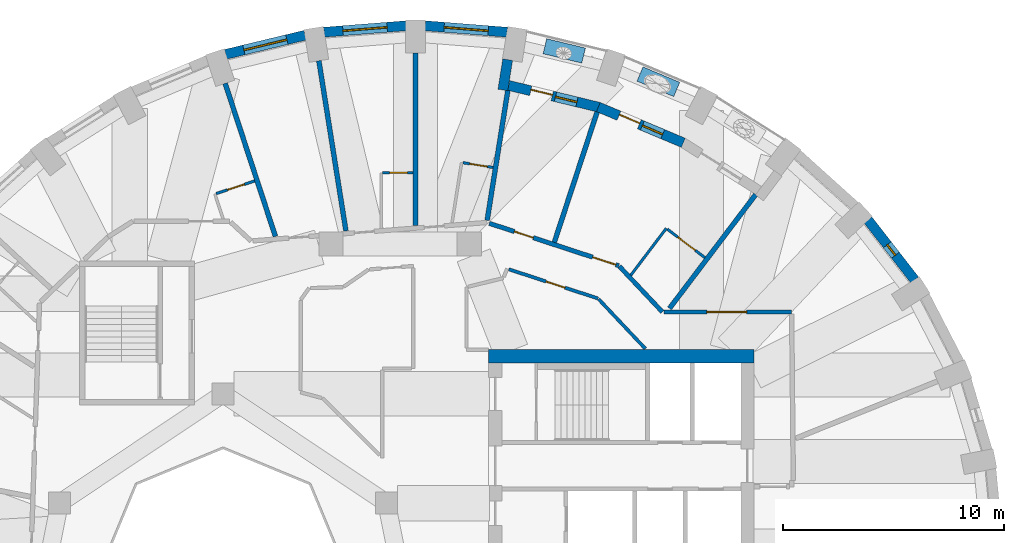
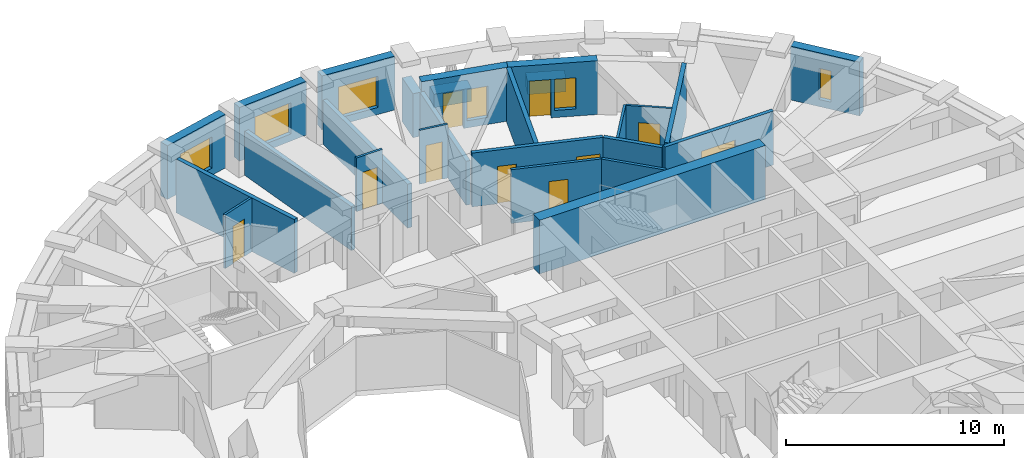
# One storey, part 8 of 12: 26 walls, 10 doors, 6 windows, 16 openings.
"""IFC4 building model written with IfcOpenShell, lengths in metres."""

import ifcopenshell
import ifcopenshell.guid

model = None  # the IFC model being written
_history = None  # IfcOwnerHistory: only IFC2X3 demands one
_inside = {}  # id of a spatial element -> (the spatial element, [elements in it])
_under = {}  # id of a project, library or spatial element -> (it, [spatial elements below it])
_declared = {}  # id of a project -> (the project, [libraries it declares])
_typed = {}  # id of a type object -> (the type object, [elements of that type])
_made_of = {}  # id of a material, layer set ... -> (it, [elements and type objects made of it])


def new_model(schema):
    """Start an empty IFC model of exactly this schema.

    Asked for "IFC4X3", IfcOpenShell would pick the latest addendum, in which some entities
    have other attributes; the version numbers below select the first issue.
    IFC2X3 requires an IfcOwnerHistory on every rooted entity: one is made here for all.
    """
    global model, _history
    if schema == "IFC4X3":
        model = ifcopenshell.file(schema_version=(4, 3, 0, 0))
    else:
        model = ifcopenshell.file(schema=schema)
    _inside.clear()
    _under.clear()
    _declared.clear()
    _typed.clear()
    _made_of.clear()
    _history = None
    if model.schema == "IFC2X3":
        org = make("IfcOrganization", Name="unknown")
        user = make(
            "IfcPersonAndOrganization",
            ThePerson=make("IfcPerson", FamilyName="unknown"),
            TheOrganization=org,
        )
        app = make(
            "IfcApplication",
            ApplicationDeveloper=org,
            Version="unknown",
            ApplicationFullName="unknown",
            ApplicationIdentifier="unknown",
        )
        _history = make(
            "IfcOwnerHistory",
            OwningUser=user,
            OwningApplication=app,
            ChangeAction="ADDED",
            CreationDate=0,
        )
    return model


def make(cls, **values):
    """One entity of the class cls with the attributes given. An attribute that is None is left unset."""
    return model.create_entity(
        cls, **{name: value for name, value in values.items() if value is not None}
    )


def rooted(cls, **values):
    """An entity with a GlobalId (a new one), such as an element, a storey or a relation."""
    return make(cls, GlobalId=ifcopenshell.guid.new(), OwnerHistory=_history, **values)


def si_unit(unit_type, name, prefix=None):
    """IfcSIUnit, for example si_unit("LENGTHUNIT", "METRE", prefix="MILLI")."""
    return make("IfcSIUnit", UnitType=unit_type, Prefix=prefix, Name=name)


def assignment(units):
    """IfcUnitAssignment: the units of a project."""
    return None if units is None else make("IfcUnitAssignment", Units=units)


def point(xyz):
    """IfcCartesianPoint."""
    return None if xyz is None else make("IfcCartesianPoint", Coordinates=xyz)


def direction(xyz):
    """IfcDirection."""
    return None if xyz is None else make("IfcDirection", DirectionRatios=xyz)


def frame(location, z_axis=None, x_axis=None):
    """IfcAxis2Placement3D, a coordinate frame: its origin and axes. An axis left out is left unset."""
    return make(
        "IfcAxis2Placement3D",
        Location=point(location),
        Axis=direction(z_axis),
        RefDirection=direction(x_axis),
    )


def frame_2d(location, x_axis=None):
    """IfcAxis2Placement2D, a coordinate frame in the plane: its origin and x axis."""
    return make(
        "IfcAxis2Placement2D", Location=point(location), RefDirection=direction(x_axis)
    )


def origin():
    """The frame at (0, 0, 0) with its axes left unset."""
    return frame((0.0, 0.0, 0.0))


def place(relative_to, where):
    """IfcLocalPlacement: puts the frame where relative to a parent placement (None: the world)."""
    return make(
        "IfcLocalPlacement", PlacementRelTo=relative_to, RelativePlacement=where
    )


def context(
    kind, dimensions, precision=None, world=None, true_north=None, identifier=None
):
    """IfcGeometricRepresentationContext, for example the 3D "Model" context."""
    return make(
        "IfcGeometricRepresentationContext",
        ContextIdentifier=identifier,
        ContextType=kind,
        CoordinateSpaceDimension=dimensions,
        Precision=precision,
        WorldCoordinateSystem=world,
        TrueNorth=true_north,
    )


def subcontext(parent, identifier, kind, view, scale=None):
    """IfcGeometricRepresentationSubContext, for example "Body" below "Model"."""
    return make(
        "IfcGeometricRepresentationSubContext",
        ContextIdentifier=identifier,
        ContextType=kind,
        ParentContext=parent,
        TargetScale=scale,
        TargetView=view,
    )


def project(units=None, contexts=None):
    """IfcProject with its units and contexts."""
    return rooted(
        "IfcProject",
        Name="project",
        RepresentationContexts=contexts,
        UnitsInContext=assignment(units),
    )


def spatial(cls, under=None, at=None, **own):
    """A site, building, storey or space (cls), placed at a placement, below another one or the project."""
    s = rooted(cls, ObjectPlacement=at, **own)
    if under is not None:
        _under.setdefault(under.id(), (under, []))[1].append(s)
    return s


def profile(cls, at=None, kind="AREA", **sizes):
    """A parametric profile (cls). Its sizes go by their IFC names, for example OverallWidth=200.0."""
    return make(cls, ProfileType=kind, Position=at, **sizes)


def rectangle(**sizes):
    """IfcRectangleProfileDef."""
    return profile("IfcRectangleProfileDef", **sizes)


def extrude(swept, where, along, depth):
    """IfcExtrudedAreaSolid: the profile swept, set in the frame where, extruded along a direction by depth."""
    return make(
        "IfcExtrudedAreaSolid",
        SweptArea=swept,
        Position=where,
        ExtrudedDirection=direction(along),
        Depth=depth,
    )


def shape(context_of_items, identifier, shape_type, items):
    """IfcShapeRepresentation: the items that make up one representation, for example the "Body"."""
    return make(
        "IfcShapeRepresentation",
        ContextOfItems=context_of_items,
        RepresentationIdentifier=identifier,
        RepresentationType=shape_type,
        Items=items,
    )


def material(Name=None, Category=None):
    """IfcMaterial."""
    return make("IfcMaterial", Name=Name, Category=Category)


def layer(
    of_material, thickness, ventilated=None, Name=None, Category=None, Priority=None
):
    """IfcMaterialLayer: one layer of a wall or slab, of a material (None: an air gap)."""
    return make(
        "IfcMaterialLayer",
        Material=of_material,
        LayerThickness=thickness,
        IsVentilated=ventilated,
        Name=Name,
        Category=Category,
        Priority=Priority,
    )


def layer_set(layers, Name=None):
    """IfcMaterialLayerSet."""
    return make("IfcMaterialLayerSet", MaterialLayers=layers, LayerSetName=Name)


def constituent(of_material, Name=None, Category=None, fraction=None):
    """IfcMaterialConstituent: one of the materials an element consists of."""
    return make(
        "IfcMaterialConstituent",
        Name=Name,
        Material=of_material,
        Fraction=fraction,
        Category=Category,
    )


def constituent_set(constituents=None, Name=None):
    """IfcMaterialConstituentSet."""
    return make(
        "IfcMaterialConstituentSet", Name=Name, MaterialConstituents=constituents
    )


def made_of(thing, what):
    """Note that an element or type object is made of a material, layer set ...; save() writes the relation."""
    if what is not None:
        _made_of.setdefault(what.id(), (what, []))[1].append(thing)
    return thing


def type_object(cls, material=None, **own):
    """A type object (cls), such as IfcWallType, which elements share."""
    return made_of(rooted(cls, **own), material)


def element(
    cls,
    number,
    at=None,
    inside=None,
    cuts=None,
    type_object=None,
    material=None,
    context=None,
    identifier="Body",
    shape_type=None,
    held_by="IfcProductDefinitionShape",
    body=None,
    shapes=None,
    **own,
):
    """One element of the class cls, such as IfcWall. Its Tag is "e" and its number.

    at: its placement. inside: the storey or other place that contains it. cuts: it is an
    opening in that element (IfcRelVoidsElement). A single representation is given by context,
    identifier, shape_type and body (its items); several are given by shapes. held_by: the class
    of the entity that holds the representations. save() writes the other relations.
    """
    e = rooted(cls, Tag="e%d" % number, ObjectPlacement=at, **own)
    if body is not None:
        shapes = [shape(context, identifier, shape_type, body)]
    if shapes is not None:
        e.Representation = make(held_by, Representations=shapes)
    if inside is not None:
        _inside.setdefault(inside.id(), (inside, []))[1].append(e)
    if cuts is not None:
        rooted(
            "IfcRelVoidsElement", RelatingBuildingElement=cuts, RelatedOpeningElement=e
        )
    if type_object is not None:
        _typed.setdefault(type_object.id(), (type_object, []))[1].append(e)
    return made_of(e, material)


def fill(opening, filler):
    """IfcRelFillsElement: the door or window that sits in an opening."""
    return rooted(
        "IfcRelFillsElement",
        RelatingOpeningElement=opening,
        RelatedBuildingElement=filler,
    )


def aggregate(whole, parts):
    """IfcRelAggregates: a whole, such as a stair, and the parts it consists of."""
    return rooted("IfcRelAggregates", RelatingObject=whole, RelatedObjects=parts)


def save(model, path):
    """Write the relations noted so far, then the file.

    IfcRelAggregates (storeys below a building ...), IfcRelContainedInSpatialStructure (elements
    in a storey), IfcRelDefinesByType, IfcRelAssociatesMaterial and IfcRelDeclares: one each for
    every whole, place, type object, material and project.
    """
    for whole, parts in _under.values():
        aggregate(whole, parts)
    for where, things in _inside.values():
        rooted(
            "IfcRelContainedInSpatialStructure",
            RelatedElements=things,
            RelatingStructure=where,
        )
    for kind, things in _typed.values():
        rooted("IfcRelDefinesByType", RelatedObjects=things, RelatingType=kind)
    for what, things in _made_of.values():
        rooted("IfcRelAssociatesMaterial", RelatedObjects=things, RelatingMaterial=what)
    for by, libraries in _declared.values():
        rooted("IfcRelDeclares", RelatingContext=by, RelatedDefinitions=libraries)
    model.write(path)


model = new_model("IFC4")

# Units and contexts
model_context = context("Model", 3, precision=1e-05, world=origin(), true_north=direction((0.0, 1.0)))
body_context = subcontext(model_context, "Body", "Model", "MODEL_VIEW")
ifc_project = project(units=[si_unit("LENGTHUNIT", "METRE"), si_unit("AREAUNIT", "SQUARE_METRE"), si_unit("VOLUMEUNIT", "CUBIC_METRE"), si_unit("PLANEANGLEUNIT", "RADIAN"), si_unit("MASSUNIT", "GRAM", prefix="KILO")], contexts=[model_context])

# Site, building, storey
site_placement = place(None, origin())
site = spatial("IfcSite", under=ifc_project, at=site_placement, CompositionType="ELEMENT")
building_placement = place(site_placement, origin())
building = spatial("IfcBuilding", under=site, at=building_placement, Name="Taillehof Tower", CompositionType="ELEMENT")
storey_placement = place(building_placement, frame((0.0, 0.0, 195.800048828125)))
storey = spatial("IfcBuildingStorey", under=building, at=storey_placement, Name="L55", CompositionType="ELEMENT", Elevation=195.800048828125)

# Wall, opening, window
ifc_material_1 = material(Name="Brick masonry", Category="masonry")
ifc_layer_1 = layer(ifc_material_1, 0.449951171875)
ifc_layer_set_1 = layer_set([ifc_layer_1], Name="Brick infill wall 450")
wall_type_1 = type_object("IfcWallType", Name="Brick infill wall 450", PredefinedType="SOLIDWALL", material=ifc_layer_set_1)
wall_1_placement = place(storey_placement, frame((23.262939453125, 13.148193359375, 0.0), z_axis=(0.0, 0.0, 1.0), x_axis=(-0.614220816451, 0.789134201919, 0.0)))
wall_1 = element("IfcWall", 1, at=wall_1_placement, inside=storey, type_object=wall_type_1, Name="Brick wall L55 bay 4", PredefinedType="SOLIDWALL", context=body_context, shape_type="SweptSolid", body=[
    extrude(rectangle(XDim=3.437744140625, YDim=0.449951171875, at=frame_2d((1.71875, 0.0))), origin(), (0.0, 0.0, 1.0), 3.02001953125),
])
opening_1_placement = place(wall_1_placement, frame((1.4189453125, 0.0, 0.39990234375)))
opening_1 = element("IfcOpeningElement", 2, at=opening_1_placement, cuts=wall_1, Name="Opening W6", PredefinedType="OPENING", context=body_context, shape_type="SweptSolid", body=[
    extrude(rectangle(XDim=0.60009765625, YDim=1.75, at=frame_2d((0.300048828125, 0.875))), frame((0.0, 0.23486328125, 0.0), z_axis=(0.0, -1.0, 0.0), x_axis=(1.0, 0.0, 0.0)), (0.0, 0.0, 1.0), 0.469970703125),
])
ifc_material_2 = material(Name="Aluminium window frame with clear double glazing", Category="aluminium")
window_type_1 = type_object("IfcWindowType", Name="Slot window 600x1750", PartitioningType="SINGLE_PANEL", PredefinedType="WINDOW", material=ifc_material_2)
window_1_placement = place(opening_1_placement, origin())
window_1 = element("IfcWindow", 3, at=window_1_placement, inside=storey, type_object=window_type_1, Name="W6", OverallHeight=1.75, OverallWidth=0.60009765625, PartitioningType="SINGLE_PANEL", PredefinedType="WINDOW", context=body_context, shape_type="SweptSolid", body=[
    extrude(rectangle(XDim=0.60009765625, YDim=1.75, at=frame_2d((0.300048828125, 0.875))), frame((0.0, 0.034912109375, 0.0), z_axis=(0.0, -1.0, 0.0), x_axis=(1.0, 0.0, 0.0)), (0.0, 0.0, 1.0), 0.06005859375),
])
fill(opening_1, window_1)

wall_2_placement = place(storey_placement, frame((4.841064453125, 24.348388671875, 0.0), z_axis=(0.0, 0.0, 1.0), x_axis=(-0.996918697878, 0.078441760701, 0.0)))
wall_2 = element("IfcWall", 4, at=wall_2_placement, inside=storey, type_object=wall_type_1, Name="Brick wall L55 bay 9", PredefinedType="SOLIDWALL", context=body_context, shape_type="SweptSolid", body=[
    extrude(rectangle(XDim=3.722412109375, YDim=0.449951171875, at=frame_2d((1.861328125, 0.0))), origin(), (0.0, 0.0, 1.0), 3.02001953125),
])
opening_2_placement = place(wall_2_placement, frame((0.861328125, 0.0, 0.39990234375)))
opening_2 = element("IfcOpeningElement", 5, at=opening_2_placement, cuts=wall_2, Name="Opening W2", PredefinedType="OPENING", context=body_context, shape_type="SweptSolid", body=[
    extrude(rectangle(XDim=2.0, YDim=1.75, at=frame_2d((1.0, 0.875))), frame((0.0, 0.23486328125, 0.0), z_axis=(0.0, -1.0, 0.0), x_axis=(1.0, 0.0, 0.0)), (0.0, 0.0, 1.0), 0.469970703125),
])
ifc_material_3 = material(Name="Aluminium window frame with clear double glazing", Category="aluminium")
window_type_2 = type_object("IfcWindowType", Name="Deep-set window 2000x1750", PartitioningType="SINGLE_PANEL", PredefinedType="WINDOW", material=ifc_material_3)
window_2_placement = place(opening_2_placement, origin())
window_2 = element("IfcWindow", 6, at=window_2_placement, inside=storey, type_object=window_type_2, Name="W2", OverallHeight=1.75, OverallWidth=2.0, PartitioningType="SINGLE_PANEL", PredefinedType="WINDOW", context=body_context, shape_type="SweptSolid", body=[
    extrude(rectangle(XDim=2.0, YDim=1.75, at=frame_2d((1.0, 0.875))), frame((0.0, 0.034912109375, 0.0), z_axis=(0.0, -1.0, 0.0), x_axis=(1.0, 0.0, 0.0)), (0.0, 0.0, 1.0), 0.06005859375),
])
fill(opening_2, window_2)

wall_3_placement = place(storey_placement, frame((0.27001953125, 24.640380859375, 0.0), z_axis=(0.0, 0.0, 1.0), x_axis=(-0.996919101401, -0.078436632148, 0.0)))
wall_3 = element("IfcWall", 7, at=wall_3_placement, inside=storey, type_object=wall_type_1, Name="Brick wall L55 bay 10", PredefinedType="SOLIDWALL", context=body_context, shape_type="SweptSolid", body=[
    extrude(rectangle(XDim=3.72265625, YDim=0.449951171875, at=frame_2d((1.861328125, 0.0))), origin(), (0.0, 0.0, 1.0), 3.02001953125),
])
opening_3_placement = place(wall_3_placement, frame((0.861328125, 0.0, 0.39990234375)))
opening_3 = element("IfcOpeningElement", 8, at=opening_3_placement, cuts=wall_3, Name="Opening W2", PredefinedType="OPENING", context=body_context, shape_type="SweptSolid", body=[
    extrude(rectangle(XDim=2.0, YDim=1.75, at=frame_2d((1.0, 0.875))), frame((0.0, 0.23486328125, 0.0), z_axis=(0.0, -1.0, 0.0), x_axis=(1.0, 0.0, 0.0)), (0.0, 0.0, 1.0), 0.469970703125),
])
window_3_placement = place(opening_3_placement, origin())
window_3 = element("IfcWindow", 9, at=window_3_placement, inside=storey, type_object=window_type_2, Name="W2", OverallHeight=1.75, OverallWidth=2.0, PartitioningType="SINGLE_PANEL", PredefinedType="WINDOW", context=body_context, shape_type="SweptSolid", body=[
    extrude(rectangle(XDim=2.0, YDim=1.75, at=frame_2d((1.0, 0.875))), frame((0.0, 0.034912109375, 0.0), z_axis=(0.0, -1.0, 0.0), x_axis=(1.0, 0.0, 0.0)), (0.0, 0.0, 1.0), 0.06005859375),
])
fill(opening_3, window_3)

wall_4_placement = place(storey_placement, frame((-4.29052734375, 24.21337890625, 0.0), z_axis=(0.0, 0.0, 1.0), x_axis=(-0.972173533246, -0.234261864708, 0.0)))
wall_4 = element("IfcWall", 10, at=wall_4_placement, inside=storey, type_object=wall_type_1, Name="Brick wall L55 bay 11", PredefinedType="SOLIDWALL", context=body_context, shape_type="SweptSolid", body=[
    extrude(rectangle(XDim=3.697509765625, YDim=0.449951171875, at=frame_2d((1.8486328125, 0.0))), origin(), (0.0, 0.0, 1.0), 3.02001953125),
])
opening_4_placement = place(wall_4_placement, frame((0.848876953125, 0.0, 0.39990234375)))
opening_4 = element("IfcOpeningElement", 11, at=opening_4_placement, cuts=wall_4, Name="Opening W2", PredefinedType="OPENING", context=body_context, shape_type="SweptSolid", body=[
    extrude(rectangle(XDim=2.0, YDim=1.75, at=frame_2d((1.0, 0.875))), frame((0.0, 0.23486328125, 0.0), z_axis=(0.0, -1.0, 0.0), x_axis=(1.0, 0.0, 0.0)), (0.0, 0.0, 1.0), 0.469970703125),
])
window_4_placement = place(opening_4_placement, origin())
window_4 = element("IfcWindow", 12, at=window_4_placement, inside=storey, type_object=window_type_2, Name="W2", OverallHeight=1.75, OverallWidth=2.0, PartitioningType="SINGLE_PANEL", PredefinedType="WINDOW", context=body_context, shape_type="SweptSolid", body=[
    extrude(rectangle(XDim=2.0, YDim=1.75, at=frame_2d((1.0, 0.875))), frame((0.0, 0.034912109375, 0.0), z_axis=(0.0, -1.0, 0.0), x_axis=(1.0, 0.0, 0.0)), (0.0, 0.0, 1.0), 0.06005859375),
])
fill(opening_4, window_4)

# Wall
wall_5_placement = place(storey_placement, frame((4.8642578125, 23.109130859375, 0.0), z_axis=(0.0, 0.0, 1.0), x_axis=(-0.157017718735, -0.987595785736, 0.0)))
element("IfcWall", 13, at=wall_5_placement, inside=storey, type_object=wall_type_1, Name="Brick reveal L55 pocket 1", PredefinedType="SOLIDWALL", context=body_context, shape_type="SweptSolid", body=[
    extrude(rectangle(XDim=1.39013671875, YDim=0.449951171875, at=frame_2d((0.695068359375, 0.0))), origin(), (0.0, 0.0, 1.0), 2.469970703125),
])

# Wall, openings, door, window
wall_6_placement = place(storey_placement, frame((12.803955078125, 19.3486328125, 0.0), z_axis=(0.0, 0.0, 1.0), x_axis=(-0.921751093055, 0.387782055351, 0.0)))
wall_6 = element("IfcWall", 14, at=wall_6_placement, inside=storey, type_object=wall_type_1, Name="Brick wall L55 pocket bay 7", PredefinedType="SOLIDWALL", context=body_context, shape_type="SweptSolid", body=[
    extrude(rectangle(XDim=4.16845703125, YDim=0.449951171875, at=frame_2d((2.084228515625, 0.0))), origin(), (0.0, 0.0, 1.0), 3.02001953125),
])
opening_5_placement = place(wall_6_placement, frame((1.00927734375, 0.0, 0.39990234375)))
opening_5 = element("IfcOpeningElement", 15, at=opening_5_placement, cuts=wall_6, Name="Opening W5", PredefinedType="OPENING", context=body_context, shape_type="SweptSolid", body=[
    extrude(rectangle(XDim=1.0, YDim=1.75, at=frame_2d((0.5, 0.875))), frame((0.0, 0.23486328125, 0.0), z_axis=(0.0, -1.0, 0.0), x_axis=(1.0, 0.0, 0.0)), (0.0, 0.0, 1.0), 0.469970703125),
])
opening_6_placement = place(wall_6_placement, frame((2.1591796875, 0.0, 0.0)))
opening_6 = element("IfcOpeningElement", 16, at=opening_6_placement, cuts=wall_6, Name="Opening D5592", PredefinedType="OPENING", context=body_context, shape_type="SweptSolid", body=[
    extrude(rectangle(XDim=1.0, YDim=2.14990234375, at=frame_2d((0.5, 1.074951171875))), frame((0.0, 0.23486328125, 0.0), z_axis=(0.0, -1.0, 0.0), x_axis=(1.0, 0.0, 0.0)), (0.0, 0.0, 1.0), 0.469970703125),
])
ifc_material_4 = material(Name="Aluminium door frame with clear double glazing", Category="aluminium")
door_type_1 = type_object("IfcDoorType", Name="Balcony door 1000x2150", OperationType="SINGLE_SWING_RIGHT", PredefinedType="DOOR", material=ifc_material_4)
door_1_placement = place(opening_6_placement, frame((1.0, 0.0, 0.0), z_axis=(0.0, 0.0, 1.0), x_axis=(-1.0, 0.0, 0.0)))
door_1 = element("IfcDoor", 17, at=door_1_placement, inside=storey, type_object=door_type_1, Name="Balcony door L55 bay 7", OperationType="SINGLE_SWING_LEFT", OverallHeight=2.14990234375, OverallWidth=1.0, PredefinedType="DOOR", context=body_context, shape_type="SweptSolid", body=[
    extrude(rectangle(XDim=1.0, YDim=2.14990234375, at=frame_2d((0.5, 1.074951171875))), frame((0.0, 0.0751953125, 0.0), z_axis=(0.0, -1.0, 0.0), x_axis=(1.0, 0.0, 0.0)), (0.0, 0.0, 1.0), 0.050048828125),
])
fill(opening_6, door_1)
ifc_material_5 = material(Name="Aluminium window frame with clear double glazing", Category="aluminium")
window_type_3 = type_object("IfcWindowType", Name="Fixed window 1000x1750", PartitioningType="SINGLE_PANEL", PredefinedType="WINDOW", material=ifc_material_5)
window_5_placement = place(opening_5_placement, origin())
window_5 = element("IfcWindow", 18, at=window_5_placement, inside=storey, type_object=window_type_3, Name="W5", OverallHeight=1.75, OverallWidth=1.0, PartitioningType="SINGLE_PANEL", PredefinedType="WINDOW", context=body_context, shape_type="SweptSolid", body=[
    extrude(rectangle(XDim=1.0, YDim=1.75, at=frame_2d((0.5, 0.875))), frame((0.0, 0.034912109375, 0.0), z_axis=(0.0, -1.0, 0.0), x_axis=(1.0, 0.0, 0.0)), (0.0, 0.0, 1.0), 0.06005859375),
])
fill(opening_5, window_5)

wall_7_placement = place(storey_placement, frame((8.99609375, 20.95361328125, 0.0), z_axis=(0.0, 0.0, 1.0), x_axis=(-0.971994057868, 0.235005428593, 0.0)))
wall_7 = element("IfcWall", 19, at=wall_7_placement, inside=storey, type_object=wall_type_1, Name="Brick wall L55 pocket bay 8", PredefinedType="SOLIDWALL", context=body_context, shape_type="SweptSolid", body=[
    extrude(rectangle(XDim=4.20751953125, YDim=0.449951171875, at=frame_2d((2.103759765625, 0.0))), origin(), (0.0, 0.0, 1.0), 3.02001953125),
])
opening_7_placement = place(wall_7_placement, frame((1.028564453125, 0.0, 0.39990234375)))
opening_7 = element("IfcOpeningElement", 20, at=opening_7_placement, cuts=wall_7, Name="Opening W5", PredefinedType="OPENING", context=body_context, shape_type="SweptSolid", body=[
    extrude(rectangle(XDim=1.0, YDim=1.75, at=frame_2d((0.5, 0.875))), frame((0.0, 0.23486328125, 0.0), z_axis=(0.0, -1.0, 0.0), x_axis=(1.0, 0.0, 0.0)), (0.0, 0.0, 1.0), 0.469970703125),
])
opening_8_placement = place(wall_7_placement, frame((2.1787109375, 0.0, 0.0)))
opening_8 = element("IfcOpeningElement", 21, at=opening_8_placement, cuts=wall_7, Name="Opening D5593", PredefinedType="OPENING", context=body_context, shape_type="SweptSolid", body=[
    extrude(rectangle(XDim=1.0, YDim=2.14990234375, at=frame_2d((0.5, 1.074951171875))), frame((0.0, 0.23486328125, 0.0), z_axis=(0.0, -1.0, 0.0), x_axis=(1.0, 0.0, 0.0)), (0.0, 0.0, 1.0), 0.469970703125),
])
door_2_placement = place(opening_8_placement, frame((1.0, 0.0, 0.0), z_axis=(0.0, 0.0, 1.0), x_axis=(-1.0, 0.0, 0.0)))
door_2 = element("IfcDoor", 22, at=door_2_placement, inside=storey, type_object=door_type_1, Name="Balcony door L55 bay 8", OperationType="SINGLE_SWING_LEFT", OverallHeight=2.14990234375, OverallWidth=1.0, PredefinedType="DOOR", context=body_context, shape_type="SweptSolid", body=[
    extrude(rectangle(XDim=1.0, YDim=2.14990234375, at=frame_2d((0.5, 1.074951171875))), frame((0.0, 0.0751953125, 0.0), z_axis=(0.0, -1.0, 0.0), x_axis=(1.0, 0.0, 0.0)), (0.0, 0.0, 1.0), 0.050048828125),
])
fill(opening_8, door_2)
window_6_placement = place(opening_7_placement, origin())
window_6 = element("IfcWindow", 23, at=window_6_placement, inside=storey, type_object=window_type_3, Name="W5", OverallHeight=1.75, OverallWidth=1.0, PartitioningType="SINGLE_PANEL", PredefinedType="WINDOW", context=body_context, shape_type="SweptSolid", body=[
    extrude(rectangle(XDim=1.0, YDim=1.75, at=frame_2d((0.5, 0.875))), frame((0.0, 0.034912109375, 0.0), z_axis=(0.0, -1.0, 0.0), x_axis=(1.0, 0.0, 0.0)), (0.0, 0.0, 1.0), 0.06005859375),
])
fill(opening_7, window_6)

# Wall, openings, doors
ifc_material_6 = material(Name="Gypsum board on steel studs, two layers each side", Category="steel")
ifc_layer_2 = layer(ifc_material_6, 0.199951171875)
ifc_layer_set_2 = layer_set([ifc_layer_2], Name="Compartment wall corridor 200")
wall_type_2 = type_object("IfcWallType", Name="Compartment wall corridor 200", PredefinedType="PARTITIONING", material=ifc_layer_set_2)
wall_8_placement = place(storey_placement, frame((4.034912109375, 15.708251953125, 0.0), z_axis=(0.0, 0.0, 1.0), x_axis=(0.950331063317, -0.31124085544, 0.0)))
wall_8 = element("IfcWall", 24, at=wall_8_placement, inside=storey, type_object=wall_type_2, Name="Compartment wall", PredefinedType="PARTITIONING", context=body_context, shape_type="SweptSolid", body=[
    extrude(rectangle(XDim=6.1591796875, YDim=0.199951171875, at=frame_2d((3.07958984375, 0.0))), origin(), (0.0, 0.0, 1.0), 3.02001953125),
])
opening_9_placement = place(wall_8_placement, frame((4.919189453125, 0.0, 0.0)))
opening_9 = element("IfcOpeningElement", 25, at=opening_9_placement, cuts=wall_8, Name="Opening D5540", PredefinedType="OPENING", context=body_context, shape_type="SweptSolid", body=[
    extrude(rectangle(XDim=1.10009765625, YDim=2.10009765625, at=frame_2d((0.550048828125, 1.050048828125))), frame((0.0, 0.10986328125, 0.0), z_axis=(0.0, -1.0, 0.0), x_axis=(1.0, 0.0, 0.0)), (0.0, 0.0, 1.0), 0.219970703125),
])
opening_10_placement = place(wall_8_placement, frame((1.189453125, 0.0, 0.0)))
opening_10 = element("IfcOpeningElement", 26, at=opening_10_placement, cuts=wall_8, Name="Opening D5542", PredefinedType="OPENING", context=body_context, shape_type="SweptSolid", body=[
    extrude(rectangle(XDim=0.89990234375, YDim=2.10009765625, at=frame_2d((0.449951171875, 1.050048828125))), frame((0.0, 0.10986328125, 0.0), z_axis=(0.0, -1.0, 0.0), x_axis=(1.0, 0.0, 0.0)), (0.0, 0.0, 1.0), 0.219970703125),
])
ifc_material_7 = material(Name="Timber door leaf in steel frame", Category="steel")
door_type_2 = type_object("IfcDoorType", Name="Accessible guest room door EI 30 1100 x 2100", OperationType="SINGLE_SWING_LEFT", PredefinedType="DOOR", material=ifc_material_7)
door_3_placement = place(opening_9_placement, origin())
door_3 = element("IfcDoor", 27, at=door_3_placement, inside=storey, type_object=door_type_2, Name="D5540", OperationType="SINGLE_SWING_LEFT", OverallHeight=2.10009765625, OverallWidth=1.10009765625, PredefinedType="DOOR", context=body_context, shape_type="SweptSolid", body=[
    extrude(rectangle(XDim=1.10009765625, YDim=2.10009765625, at=frame_2d((0.550048828125, 1.050048828125))), frame((0.0, 0.02490234375, 0.0), z_axis=(0.0, -1.0, 0.0), x_axis=(1.0, 0.0, 0.0)), (0.0, 0.0, 1.0), 0.050048828125),
])
fill(opening_9, door_3)
ifc_material_8 = material(Name="Timber door leaf in steel frame", Category="steel")
door_type_3 = type_object("IfcDoorType", Name="Service room door EI 30 900 x 2100", OperationType="SINGLE_SWING_LEFT", PredefinedType="DOOR", material=ifc_material_8)
door_4_placement = place(opening_10_placement, origin())
door_4 = element("IfcDoor", 28, at=door_4_placement, inside=storey, type_object=door_type_3, Name="D5542", OperationType="SINGLE_SWING_RIGHT", OverallHeight=2.10009765625, OverallWidth=0.89990234375, PredefinedType="DOOR", context=body_context, shape_type="SweptSolid", body=[
    extrude(rectangle(XDim=0.89990234375, YDim=2.10009765625, at=frame_2d((0.449951171875, 1.050048828125))), frame((0.0, 0.02490234375, 0.0), z_axis=(0.0, -1.0, 0.0), x_axis=(1.0, 0.0, 0.0)), (0.0, 0.0, 1.0), 0.050048828125),
])
fill(opening_10, door_4)

# Wall
wall_9_placement = place(storey_placement, frame((9.91552734375, 13.761962890625, 0.0), z_axis=(0.0, 0.0, 1.0), x_axis=(0.686041532799, -0.727562378958, 0.0)))
element("IfcWall", 29, at=wall_9_placement, inside=storey, type_object=wall_type_2, Name="Compartment wall", PredefinedType="PARTITIONING", context=body_context, shape_type="SweptSolid", body=[
    extrude(rectangle(XDim=2.834228515625, YDim=0.199951171875, at=frame_2d((1.4169921875, 0.0))), origin(), (0.0, 0.0, 1.0), 3.02001953125),
])

# Wall, opening, door
wall_10_placement = place(storey_placement, frame((11.93994140625, 11.699951171875, 0.0), z_axis=(0.0, 0.0, 1.0), x_axis=(1.0, 0.0, 0.0)))
wall_10 = element("IfcWall", 30, at=wall_10_placement, inside=storey, type_object=wall_type_2, Name="Compartment wall", PredefinedType="PARTITIONING", context=body_context, shape_type="SweptSolid", body=[
    extrude(rectangle(XDim=5.760009765625, YDim=0.199951171875, at=frame_2d((2.8798828125, 0.0))), origin(), (0.0, 0.0, 1.0), 3.02001953125),
])
opening_11_placement = place(wall_10_placement, frame((1.926513671875, 0.0, 0.0)))
opening_11 = element("IfcOpeningElement", 31, at=opening_11_placement, cuts=wall_10, Name="Opening D5570", PredefinedType="OPENING", context=body_context, shape_type="SweptSolid", body=[
    extrude(rectangle(XDim=1.800048828125, YDim=2.10009765625, at=frame_2d((0.89990234375, 1.050048828125))), frame((0.0, 0.10986328125, 0.0), z_axis=(0.0, -1.0, 0.0), x_axis=(1.0, 0.0, 0.0)), (0.0, 0.0, 1.0), 0.219970703125),
])
ifc_material_9 = material(Name="Timber door leaf in steel frame", Category="steel")
door_type_4 = type_object("IfcDoorType", Name="Lounge and meeting room double door EI 30 1800 x 2100", OperationType="SINGLE_SWING_LEFT", PredefinedType="DOOR", material=ifc_material_9)
door_5_placement = place(opening_11_placement, origin())
door_5 = element("IfcDoor", 32, at=door_5_placement, inside=storey, type_object=door_type_4, Name="D5570", OperationType="DOUBLE_DOOR_SINGLE_SWING", OverallHeight=2.10009765625, OverallWidth=1.800048828125, PredefinedType="DOOR", context=body_context, shape_type="SweptSolid", body=[
    extrude(rectangle(XDim=1.800048828125, YDim=2.10009765625, at=frame_2d((0.89990234375, 1.050048828125))), frame((0.0, 0.02490234375, 0.0), z_axis=(0.0, -1.0, 0.0), x_axis=(1.0, 0.0, 0.0)), (0.0, 0.0, 1.0), 0.050048828125),
])
fill(opening_11, door_5)

# Walls
ifc_material_10 = material(Name="Gypsum board on double steel studs with mineral wool", Category="steel")
ifc_layer_3 = layer(ifc_material_10, 0.219970703125)
ifc_layer_set_3 = layer_set([ifc_layer_3], Name="Compartment wall guest room 220")
wall_type_3 = type_object("IfcWallType", Name="Compartment wall guest room 220", PredefinedType="PARTITIONING", material=ifc_layer_set_3)
wall_11_placement = place(storey_placement, frame((16.076904296875, 17.011474609375, 0.0), z_axis=(0.0, 0.0, 1.0), x_axis=(-0.603635635975, -0.797260320712, 0.0)))
element("IfcWall", 33, at=wall_11_placement, inside=storey, type_object=wall_type_3, Name="Compartment wall", PredefinedType="PARTITIONING", context=body_context, shape_type="SweptSolid", body=[
    extrude(rectangle(XDim=6.45703125, YDim=0.219970703125, at=frame_2d((3.228515625, 0.0))), origin(), (0.0, 0.0, 1.0), 3.02001953125),
])
wall_12_placement = place(storey_placement, frame((8.907958984375, 20.743408203125, 0.0), z_axis=(0.0, 0.0, 1.0), x_axis=(-0.311984764468, -0.950087104817, 0.0)))
element("IfcWall", 34, at=wall_12_placement, inside=storey, type_object=wall_type_3, Name="Compartment wall", PredefinedType="PARTITIONING", context=body_context, shape_type="SweptSolid", body=[
    extrude(rectangle(XDim=6.20166015625, YDim=0.219970703125, at=frame_2d((3.100830078125, 0.0))), origin(), (0.0, 0.0, 1.0), 3.02001953125),
])
wall_13_placement = place(storey_placement, frame((4.87109375, 21.719482421875, 0.0), z_axis=(0.0, 0.0, 1.0), x_axis=(-0.157106861106, -0.987581608878, 0.0)))
element("IfcWall", 35, at=wall_13_placement, inside=storey, type_object=wall_type_3, Name="Compartment wall", PredefinedType="PARTITIONING", context=body_context, shape_type="SweptSolid", body=[
    extrude(rectangle(XDim=5.94873046875, YDim=0.219970703125, at=frame_2d((2.974365234375, 0.0))), origin(), (0.0, 0.0, 1.0), 2.469970703125),
])
wall_14_placement = place(storey_placement, frame((0.699951171875, 23.39990234375, 0.0), z_axis=(0.0, 0.0, 1.0), x_axis=(0.0, -1.0, 0.0)))
element("IfcWall", 36, at=wall_14_placement, inside=storey, type_object=wall_type_3, Name="Compartment wall", PredefinedType="PARTITIONING", context=body_context, shape_type="SweptSolid", body=[
    extrude(rectangle(XDim=7.78662109375, YDim=0.219970703125, at=frame_2d((3.893310546875, 0.0))), origin(), (0.0, 0.0, 1.0), 2.469970703125),
])
wall_15_placement = place(storey_placement, frame((-3.6708984375, 23.05615234375, 0.0), z_axis=(0.0, 0.0, 1.0), x_axis=(0.157087942897, -0.987584618246, 0.0)))
element("IfcWall", 37, at=wall_15_placement, inside=storey, type_object=wall_type_3, Name="Compartment wall", PredefinedType="PARTITIONING", context=body_context, shape_type="SweptSolid", body=[
    extrude(rectangle(XDim=7.786376953125, YDim=0.219970703125, at=frame_2d((3.89306640625, 0.0))), origin(), (0.0, 0.0, 1.0), 2.469970703125),
])
wall_16_placement = place(storey_placement, frame((-7.9072265625, 22.035400390625, 0.0), z_axis=(0.0, 0.0, 1.0), x_axis=(0.311980831408, -0.950088396326, 0.0)))
element("IfcWall", 38, at=wall_16_placement, inside=storey, type_object=wall_type_3, Name="Compartment wall", PredefinedType="PARTITIONING", context=body_context, shape_type="SweptSolid", body=[
    extrude(rectangle(XDim=7.283203125, YDim=0.219970703125, at=frame_2d((3.6416015625, 0.0))), origin(), (0.0, 0.0, 1.0), 3.02001953125),
])

# Wall, opening, door
ifc_material_11 = material(Name="Gypsum board on steel studs, two layers each side", Category="steel")
ifc_layer_4 = layer(ifc_material_11, 0.14990234375)
ifc_layer_set_4 = layer_set([ifc_layer_4], Name="Compartment wall service room 150")
wall_type_4 = type_object("IfcWallType", Name="Compartment wall service room 150", PredefinedType="PARTITIONING", material=ifc_layer_set_4)
wall_17_placement = place(storey_placement, frame((4.917236328125, 13.631103515625, 0.0), z_axis=(0.0, 0.0, 1.0), x_axis=(0.950299632499, -0.311336808733, 0.0)))
wall_17 = element("IfcWall", 39, at=wall_17_placement, inside=storey, type_object=wall_type_4, Name="Compartment wall", PredefinedType="PARTITIONING", context=body_context, shape_type="SweptSolid", body=[
    extrude(rectangle(XDim=4.241455078125, YDim=0.14990234375, at=frame_2d((2.12060546875, 0.0))), origin(), (0.0, 0.0, 1.0), 3.02001953125),
])
opening_12_placement = place(wall_17_placement, frame((1.77294921875, 0.0, 0.0)))
opening_12 = element("IfcOpeningElement", 40, at=opening_12_placement, cuts=wall_17, Name="Opening D5571", PredefinedType="OPENING", context=body_context, shape_type="SweptSolid", body=[
    extrude(rectangle(XDim=0.89990234375, YDim=2.10009765625, at=frame_2d((0.449951171875, 1.050048828125))), frame((0.0, 0.0849609375, 0.0), z_axis=(0.0, -1.0, 0.0), x_axis=(1.0, 0.0, 0.0)), (0.0, 0.0, 1.0), 0.169921875),
])
door_6_placement = place(opening_12_placement, origin())
door_6 = element("IfcDoor", 41, at=door_6_placement, inside=storey, type_object=door_type_3, Name="D5571", OperationType="SINGLE_SWING_LEFT", OverallHeight=2.10009765625, OverallWidth=0.89990234375, PredefinedType="DOOR", context=body_context, shape_type="SweptSolid", body=[
    extrude(rectangle(XDim=0.89990234375, YDim=2.10009765625, at=frame_2d((0.449951171875, 1.050048828125))), frame((0.0, 0.02490234375, 0.0), z_axis=(0.0, -1.0, 0.0), x_axis=(1.0, 0.0, 0.0)), (0.0, 0.0, 1.0), 0.050048828125),
])
fill(opening_12, door_6)

# Walls
wall_18_placement = place(storey_placement, frame((8.975341796875, 12.28125, 0.0), z_axis=(0.0, 0.0, 1.0), x_axis=(0.686010468192, -0.727591669503, 0.0)))
element("IfcWall", 42, at=wall_18_placement, inside=storey, type_object=wall_type_4, Name="Compartment wall", PredefinedType="PARTITIONING", context=body_context, shape_type="SweptSolid", body=[
    extrude(rectangle(XDim=3.07666015625, YDim=0.14990234375, at=frame_2d((1.538330078125, 0.0))), origin(), (0.0, 0.0, 1.0), 3.02001953125),
])
ifc_material_12 = material(Name="Concrete C80/95", Category="concrete")
ifc_layer_5 = layer(ifc_material_12, 0.60009765625)
ifc_layer_set_5 = layer_set([ifc_layer_5], Name="Core wall C80/95 600")
wall_type_5 = type_object("IfcWallType", Name="Core wall C80/95 600", PredefinedType="SHEAR", material=ifc_layer_set_5)
wall_19_placement = place(storey_placement, frame((4.0, 9.699951171875, 0.0), z_axis=(0.0, 0.0, 1.0), x_axis=(1.0, 0.0, 0.0)))
element("IfcWall", 43, at=wall_19_placement, inside=storey, type_object=wall_type_5, Name="Core wall CW06", PredefinedType="SHEAR", context=body_context, shape_type="SweptSolid", body=[
    extrude(rectangle(XDim=12.0, YDim=0.60009765625, at=frame_2d((6.0, 0.0))), origin(), (0.0, 0.0, 1.0), 3.02001953125),
])
ifc_material_13 = material(Name="Gypsum board on steel studs, moisture resistant", Category="steel")
ifc_layer_6 = layer(ifc_material_13, 0.1201171875)
ifc_layer_set_6 = layer_set([ifc_layer_6], Name="En-suite wall 120")
wall_type_6 = type_object("IfcWallType", Name="En-suite wall 120", PredefinedType="PARTITIONING", material=ifc_layer_set_6)
wall_20_placement = place(storey_placement, frame((10.4296875, 13.36279296875, 0.0), z_axis=(0.0, 0.0, 1.0), x_axis=(0.603597479969, 0.797289208616, 0.0)))
element("IfcWall", 44, at=wall_20_placement, inside=storey, type_object=wall_type_6, Name="En-suite wall", PredefinedType="PARTITIONING", context=body_context, shape_type="SweptSolid", body=[
    extrude(rectangle(XDim=2.65576171875, YDim=0.1201171875, at=frame_2d((1.327880859375, 0.0))), origin(), (0.0, 0.0, 1.0), 3.02001953125),
])

# Wall, opening, door
wall_21_placement = place(storey_placement, frame((12.08056640625, 15.444091796875, 0.0), z_axis=(0.0, 0.0, 1.0), x_axis=(0.797240905551, -0.603661277967, 0.0)))
wall_21 = element("IfcWall", 45, at=wall_21_placement, inside=storey, type_object=wall_type_6, Name="En-suite wall", PredefinedType="PARTITIONING", context=body_context, shape_type="SweptSolid", body=[
    extrude(rectangle(XDim=2.130126953125, YDim=0.1201171875, at=frame_2d((1.06494140625, 0.0))), origin(), (0.0, 0.0, 1.0), 3.02001953125),
])
opening_13_placement = place(wall_21_placement, frame((0.590087890625, 0.0, 0.0)))
opening_13 = element("IfcOpeningElement", 46, at=opening_13_placement, cuts=wall_21, Name="Opening D5541", PredefinedType="OPENING", context=body_context, shape_type="SweptSolid", body=[
    extrude(rectangle(XDim=1.0, YDim=2.10009765625, at=frame_2d((0.5, 1.050048828125))), frame((0.0, 0.070068359375, 0.0), z_axis=(0.0, -1.0, 0.0), x_axis=(1.0, 0.0, 0.0)), (0.0, 0.0, 1.0), 0.14013671875),
])
ifc_material_14 = material(Name="Timber door leaf in steel frame", Category="steel")
door_type_5 = type_object("IfcDoorType", Name="Accessible en-suite door 1000 x 2100", OperationType="SINGLE_SWING_LEFT", PredefinedType="DOOR", material=ifc_material_14)
door_7_placement = place(opening_13_placement, origin())
door_7 = element("IfcDoor", 47, at=door_7_placement, inside=storey, type_object=door_type_5, Name="D5541", OperationType="SINGLE_SWING_RIGHT", OverallHeight=2.10009765625, OverallWidth=1.0, PredefinedType="DOOR", context=body_context, shape_type="SweptSolid", body=[
    extrude(rectangle(XDim=1.0, YDim=2.10009765625, at=frame_2d((0.5, 1.050048828125))), frame((0.0, 0.02490234375, 0.0), z_axis=(0.0, -1.0, 0.0), x_axis=(1.0, 0.0, 0.0)), (0.0, 0.0, 1.0), 0.050048828125),
])
fill(opening_13, door_7)

wall_22_placement = place(storey_placement, frame((2.842041015625, 18.448974609375, 0.0), z_axis=(0.0, 0.0, 1.0), x_axis=(0.98758155412, -0.157107205313, 0.0)))
wall_22 = element("IfcWall", 48, at=wall_22_placement, inside=storey, type_object=wall_type_6, Name="En-suite wall", PredefinedType="PARTITIONING", context=body_context, shape_type="SweptSolid", body=[
    extrude(rectangle(XDim=1.3798828125, YDim=0.1201171875, at=frame_2d((0.68994140625, 0.0))), origin(), (0.0, 0.0, 1.0), 3.02001953125),
])
opening_14_placement = place(wall_22_placement, frame((0.31494140625, 0.0, 0.0)))
opening_14 = element("IfcOpeningElement", 49, at=opening_14_placement, cuts=wall_22, Name="Opening D5544", PredefinedType="OPENING", context=body_context, shape_type="SweptSolid", body=[
    extrude(rectangle(XDim=0.800048828125, YDim=2.10009765625, at=frame_2d((0.39990234375, 1.050048828125))), frame((0.0, 0.070068359375, 0.0), z_axis=(0.0, -1.0, 0.0), x_axis=(1.0, 0.0, 0.0)), (0.0, 0.0, 1.0), 0.14013671875),
])
ifc_material_15 = material(Name="Timber door leaf in steel frame", Category="steel")
door_type_6 = type_object("IfcDoorType", Name="En-suite door 800 x 2100", OperationType="SINGLE_SWING_LEFT", PredefinedType="DOOR", material=ifc_material_15)
door_8_placement = place(opening_14_placement, origin())
door_8 = element("IfcDoor", 50, at=door_8_placement, inside=storey, type_object=door_type_6, Name="D5544", OperationType="SINGLE_SWING_LEFT", OverallHeight=2.10009765625, OverallWidth=0.800048828125, PredefinedType="DOOR", context=body_context, shape_type="SweptSolid", body=[
    extrude(rectangle(XDim=0.800048828125, YDim=2.10009765625, at=frame_2d((0.39990234375, 1.050048828125))), frame((0.0, 0.02490234375, 0.0), z_axis=(0.0, -1.0, 0.0), x_axis=(1.0, 0.0, 0.0)), (0.0, 0.0, 1.0), 0.050048828125),
])
fill(opening_14, door_8)

wall_23_placement = place(storey_placement, frame((-0.7900390625, 17.9931640625, 0.0), z_axis=(0.0, 0.0, 1.0), x_axis=(1.0, 0.0, 0.0)))
wall_23 = element("IfcWall", 51, at=wall_23_placement, inside=storey, type_object=wall_type_6, Name="En-suite wall", PredefinedType="PARTITIONING", context=body_context, shape_type="SweptSolid", body=[
    extrude(rectangle(XDim=1.3798828125, YDim=0.1201171875, at=frame_2d((0.68994140625, 0.0))), origin(), (0.0, 0.0, 1.0), 3.02001953125),
])
opening_15_placement = place(wall_23_placement, frame((0.31494140625, 0.0, 0.0)))
opening_15 = element("IfcOpeningElement", 52, at=opening_15_placement, cuts=wall_23, Name="Opening D5546", PredefinedType="OPENING", context=body_context, shape_type="SweptSolid", body=[
    extrude(rectangle(XDim=0.800048828125, YDim=2.10009765625, at=frame_2d((0.39990234375, 1.050048828125))), frame((0.0, 0.070068359375, 0.0), z_axis=(0.0, -1.0, 0.0), x_axis=(1.0, 0.0, 0.0)), (0.0, 0.0, 1.0), 0.14013671875),
])
door_9_placement = place(opening_15_placement, origin())
door_9 = element("IfcDoor", 53, at=door_9_placement, inside=storey, type_object=door_type_6, Name="D5546", OperationType="SINGLE_SWING_RIGHT", OverallHeight=2.10009765625, OverallWidth=0.800048828125, PredefinedType="DOOR", context=body_context, shape_type="SweptSolid", body=[
    extrude(rectangle(XDim=0.800048828125, YDim=2.10009765625, at=frame_2d((0.39990234375, 1.050048828125))), frame((0.0, 0.02490234375, 0.0), z_axis=(0.0, -1.0, 0.0), x_axis=(1.0, 0.0, 0.0)), (0.0, 0.0, 1.0), 0.050048828125),
])
fill(opening_15, door_9)

wall_24_placement = place(storey_placement, frame((-8.313232421875, 17.053955078125, 0.0), z_axis=(0.0, 0.0, 1.0), x_axis=(0.950153758954, 0.311781709446, 0.0)))
wall_24 = element("IfcWall", 54, at=wall_24_placement, inside=storey, type_object=wall_type_6, Name="En-suite wall", PredefinedType="PARTITIONING", context=body_context, shape_type="SweptSolid", body=[
    extrude(rectangle(XDim=1.830078125, YDim=0.1201171875, at=frame_2d((0.9150390625, 0.0))), origin(), (0.0, 0.0, 1.0), 3.02001953125),
])
opening_16_placement = place(wall_24_placement, frame((0.5400390625, 0.0, 0.0)))
opening_16 = element("IfcOpeningElement", 55, at=opening_16_placement, cuts=wall_24, Name="Opening D5549", PredefinedType="OPENING", context=body_context, shape_type="SweptSolid", body=[
    extrude(rectangle(XDim=0.800048828125, YDim=2.10009765625, at=frame_2d((0.39990234375, 1.050048828125))), frame((0.0, 0.070068359375, 0.0), z_axis=(0.0, -1.0, 0.0), x_axis=(1.0, 0.0, 0.0)), (0.0, 0.0, 1.0), 0.14013671875),
])
door_10_placement = place(opening_16_placement, origin())
door_10 = element("IfcDoor", 56, at=door_10_placement, inside=storey, type_object=door_type_6, Name="D5549", OperationType="SINGLE_SWING_RIGHT", OverallHeight=2.10009765625, OverallWidth=0.800048828125, PredefinedType="DOOR", context=body_context, shape_type="SweptSolid", body=[
    extrude(rectangle(XDim=0.800048828125, YDim=2.10009765625, at=frame_2d((0.39990234375, 1.050048828125))), frame((0.0, 0.02490234375, 0.0), z_axis=(0.0, -1.0, 0.0), x_axis=(1.0, 0.0, 0.0)), (0.0, 0.0, 1.0), 0.050048828125),
])
fill(opening_16, door_10)

# Walls
ifc_material_16 = material(Name="Concrete C30/37 precast", Category="concrete")
ifc_constituent_1 = constituent(ifc_material_16, Name="Structure", Category="concrete")
ifc_material_17 = material(Name="Insulated lining")
ifc_constituent_2 = constituent(ifc_material_17, Name="Lining")
ifc_constituent_set = constituent_set(constituents=[ifc_constituent_1, ifc_constituent_2], Name="Planter trough 700x750")
wall_type_7 = type_object("IfcWallType", Name="Planter trough 700x750", PredefinedType="USERDEFINED", material=ifc_constituent_set)
for number, where, z_axis, x_axis, name in (
    (57, (12.505859375, 21.761962890625, 0.0), (0.0, 0.0, 1.0), (-0.922155368213, 0.386819695564, 0.0), "Planter L55 bay 7"),
    (58, (8.29638671875, 23.292236328125, 0.0), (0.0, 0.0, 1.0), (-0.97215043642, 0.234357694494, 0.0), "Planter L55 bay 8"),
):
    element("IfcWall", number, at=place(storey_placement, frame(where, z_axis=z_axis, x_axis=x_axis)), inside=storey, type_object=wall_type_7, Name=name, ObjectType="PLANTER", PredefinedType="USERDEFINED", context=body_context, shape_type="SweptSolid", body=[
        extrude(rectangle(XDim=1.800048828125, YDim=0.699951171875, at=frame_2d((0.89990234375, 0.0))), origin(), (0.0, 0.0, 1.0), 0.75),
    ])

save(model, "model.ifc")
